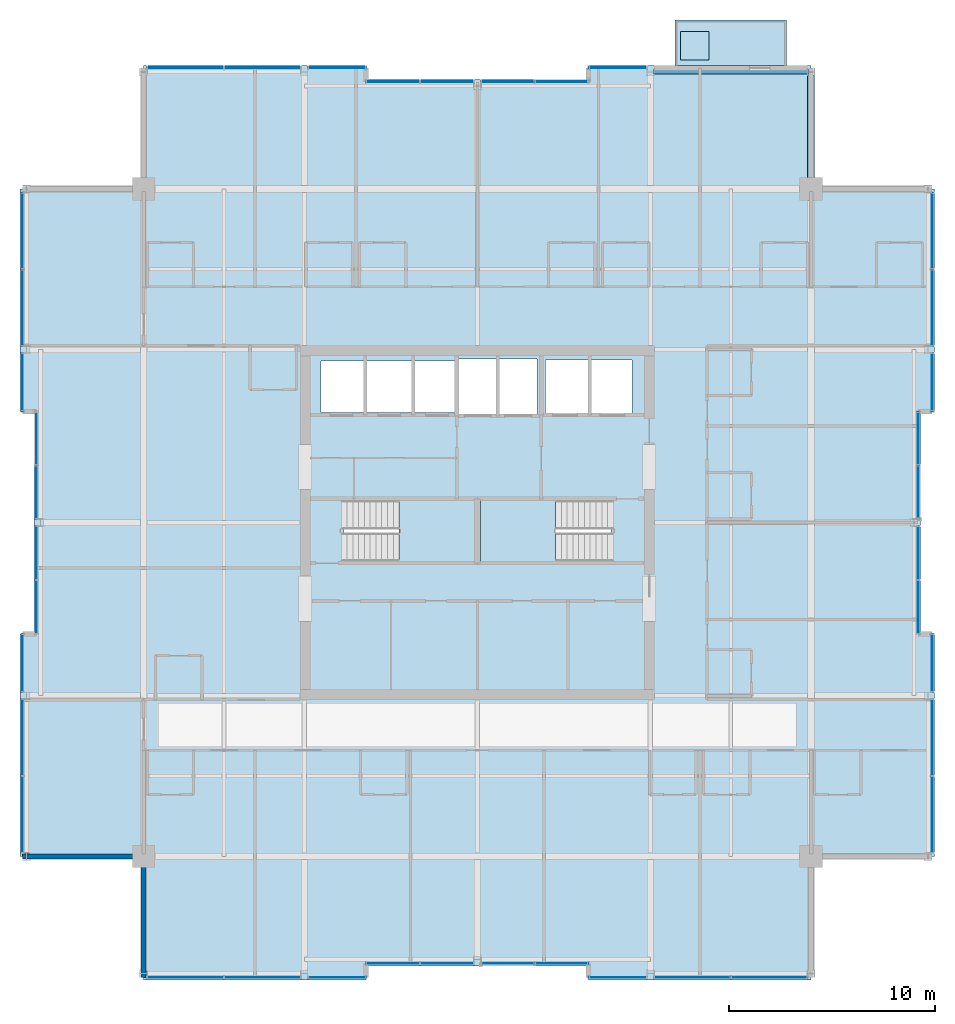
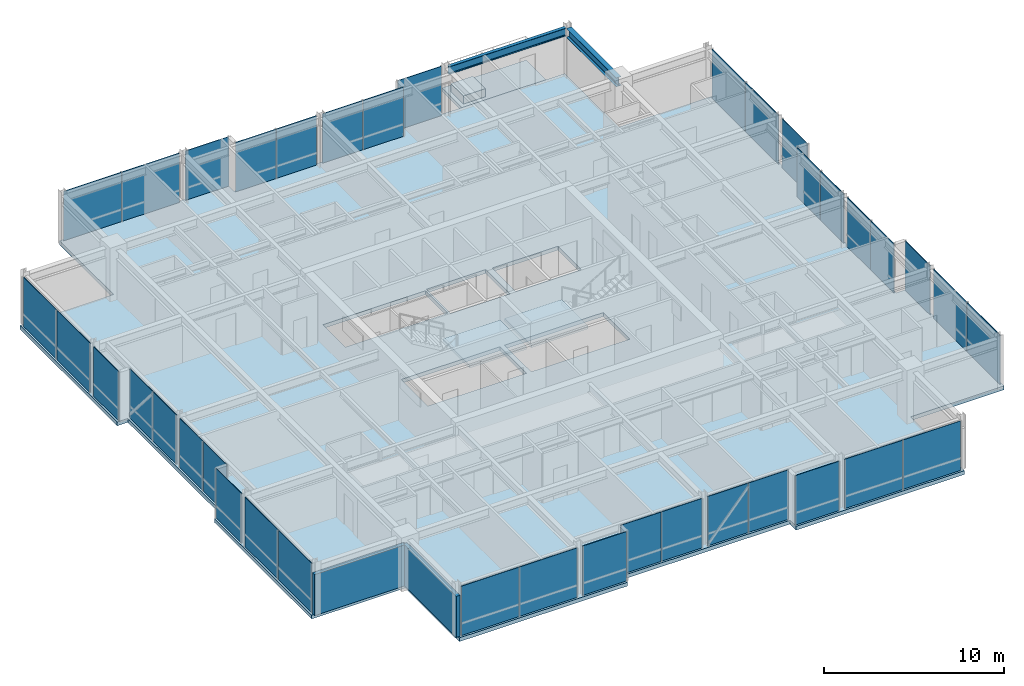
# One storey, part 27 of 34: 38 plates, 5 slabs, 2 beams, 2 walls, 25 elements without a shape of their own.
"""IFC4 building model written with IfcOpenShell, lengths in metres."""

from ifc_helpers import new_model, si_unit, direction, frame, frame_2d, origin, origin_2d, place, context, subcontext, project, spatial, polyline, rectangle, i_section, outline, extrude, material, layer, layer_set, material_profile, profile_set, type_object, element, aggregate, save


model = new_model("IFC4")

# Units and contexts
model_context = context("Model", 3, precision=1e-05, world=origin(), true_north=direction((0.0, 1.0)))
body_context = subcontext(model_context, "Body", "Model", "MODEL_VIEW")
ifc_project = project(units=[si_unit("LENGTHUNIT", "METRE"), si_unit("AREAUNIT", "SQUARE_METRE"), si_unit("VOLUMEUNIT", "CUBIC_METRE"), si_unit("PLANEANGLEUNIT", "RADIAN"), si_unit("MASSUNIT", "GRAM", prefix="KILO")], contexts=[model_context])

# Site, building, storey
site_placement = place(None, origin())
site = spatial("IfcSite", under=ifc_project, at=site_placement, CompositionType="ELEMENT")
building_placement = place(site_placement, origin())
building = spatial("IfcBuilding", under=site, at=building_placement, Name="Drelvath Grand Hotel", CompositionType="ELEMENT")
storey_placement = place(building_placement, frame((0.0, 0.0, 272.300048828125)))
storey = spatial("IfcBuildingStorey", under=building, at=storey_placement, Name="L71", CompositionType="ELEMENT", Elevation=272.300048828125)

# Beams
ifc_material_1 = material(Name="Steel ASTM A992 Gr 50", Category="steel")
ifc_material_profile_1 = material_profile(ifc_material_1, i_section(OverallWidth=0.210205078125, OverallDepth=0.53662109375, WebThickness=0.010986328125, FlangeThickness=0.017333984375, FilletRadius=0.01806640625, at=origin_2d()), Name="W21X68")
ifc_profile_set_1 = profile_set([ifc_material_profile_1], Name="Steel ASTM A992 Gr 50")
beam_type_1 = type_object("IfcBeamType", Name="Perimeter Spandrel Beam W21X68", PredefinedType="SPANDREL", material=ifc_profile_set_1)
beam_1_placement = place(storey_placement, frame((8.5400390625, 48.8798828125, 3.12158203125), z_axis=(1.0, 0.0, 0.0), x_axis=(0.0, 1.0, 0.0)))
element("IfcBeam", 1, at=beam_1_placement, inside=storey, type_object=beam_type_1, Name="L71 Spandrel North E", PredefinedType="SPANDREL", context=body_context, shape_type="SweptSolid", body=[
    extrude(i_section(OverallWidth=0.210205078125, OverallDepth=0.53662109375, WebThickness=0.010986328125, FlangeThickness=0.017333984375, FilletRadius=0.01806640625, at=origin_2d()), origin(), (0.0, 0.0, 1.0), 7.52001953125),
])
ifc_material_profile_2 = material_profile(ifc_material_1, i_section(OverallWidth=0.323974609375, OverallDepth=0.611083984375, WebThickness=0.0126953125, FlangeThickness=0.01904296875, FilletRadius=0.02197265625, at=origin_2d()), Name="W24X104")
ifc_profile_set_2 = profile_set([ifc_material_profile_2], Name="Steel ASTM A992 Gr 50")
beam_type_2 = type_object("IfcBeamType", Name="Primary Floor Girder W24X104", PredefinedType="BEAM", material=ifc_profile_set_2)
beam_2_placement = place(storey_placement, frame((16.199951171875, 43.199951171875, 3.08447265625), z_axis=(0.0, 1.0, 0.0), x_axis=(-1.0, 0.0, 0.0)))
element("IfcBeam", 2, at=beam_2_placement, inside=storey, type_object=beam_type_2, Name="L71 North Grid Girder 7", PredefinedType="BEAM", context=body_context, shape_type="SweptSolid", body=[
    extrude(i_section(OverallWidth=0.323974609375, OverallDepth=0.611083984375, WebThickness=0.0126953125, FlangeThickness=0.01904296875, FilletRadius=0.02197265625, at=origin_2d()), origin(), (0.0, 0.0, 1.0), 5.5400390625),
])

# Slabs
ifc_material_2 = material(Name="Concrete f'c 40 MPa", Category="concrete")
ifc_layer_1 = layer(ifc_material_2, 0.239990234375)
ifc_layer_set_1 = layer_set([ifc_layer_1], Name="Concrete f'c 40 MPa")
slab_type_1 = type_object("IfcSlabType", Name="Cantilevered Tree Balcony Slab 240", PredefinedType="FLOOR", material=ifc_layer_set_1)
slab_1_placement = place(storey_placement, frame((0.0, 0.0, -0.239990234375)))
element("IfcSlab", 3, at=slab_1_placement, inside=storey, type_object=slab_type_1, Name="L71 Cantilevered Tree Balcony Slab 1", PredefinedType="FLOOR", context=body_context, shape_type="SweptSolid", body=[
    extrude(outline(polyline([(9.60009765625, 49.199951171875), (15.0, 49.199951171875), (15.0, 51.39990234375), (9.60009765625, 51.39990234375), (9.60009765625, 49.199951171875)])), origin(), (0.0, 0.0, 1.0), 0.239990234375),
])
ifc_layer_2 = layer(ifc_material_2, 0.260009765625)
ifc_layer_set_2 = layer_set([ifc_layer_2], Name="Concrete f'c 40 MPa")
slab_type_2 = type_object("IfcSlabType", Name="Composite RC Floor Slab 260", PredefinedType="FLOOR", material=ifc_layer_set_2)
slab_2_placement = place(storey_placement, frame((0.0, 0.0, -0.260009765625)))
element("IfcSlab", 4, at=slab_2_placement, inside=storey, type_object=slab_type_2, Name="L71 Structural Floor Slab", PredefinedType="FLOOR", context=body_context, shape_type="SweptSolid", body=[
    extrude(outline(polyline([(-16.199951171875, 4.800048828125), (-5.39990234375, 4.800048828125), (-5.39990234375, 5.47998046875), (5.39990234375, 5.47998046875), (5.39990234375, 4.800048828125), (16.199951171875, 4.800048828125), (16.199951171875, 10.800048828125), (22.199951171875, 10.800048828125), (22.199951171875, 21.60009765625), (21.52001953125, 21.60009765625), (21.52001953125, 32.39990234375), (22.199951171875, 32.39990234375), (22.199951171875, 43.199951171875), (16.199951171875, 43.199951171875), (16.199951171875, 49.199951171875), (5.39990234375, 49.199951171875), (5.39990234375, 48.52001953125), (-5.39990234375, 48.52001953125), (-5.39990234375, 49.199951171875), (-16.199951171875, 49.199951171875), (-16.199951171875, 43.199951171875), (-22.199951171875, 43.199951171875), (-22.199951171875, 32.39990234375), (-21.52001953125, 32.39990234375), (-21.52001953125, 21.60009765625), (-22.199951171875, 21.60009765625), (-22.199951171875, 10.800048828125), (-16.199951171875, 10.800048828125), (-16.199951171875, 4.800048828125)]), holes=[polyline([(-6.47998046875, 25.1201171875), (-6.47998046875, 28.080078125), (-0.14990234375, 28.080078125), (-0.14990234375, 25.1201171875), (-6.47998046875, 25.1201171875)]), polyline([(0.14990234375, 25.1201171875), (0.14990234375, 28.080078125), (6.47998046875, 28.080078125), (6.47998046875, 25.1201171875), (0.14990234375, 25.1201171875)]), polyline([(-7.60009765625, 32.35009765625), (-7.60009765625, 34.85009765625), (-1.02001953125, 34.85009765625), (-1.02001953125, 32.35009765625), (-7.60009765625, 32.35009765625)]), polyline([(-0.89990234375, 32.25), (-0.89990234375, 34.949951171875), (2.89990234375, 34.949951171875), (2.89990234375, 32.25), (-0.89990234375, 32.25)]), polyline([(3.300048828125, 32.300048828125), (3.300048828125, 34.89990234375), (7.5, 34.89990234375), (7.5, 32.300048828125), (3.300048828125, 32.300048828125)])]), origin(), (0.0, 0.0, 1.0), 0.260009765625),
])

# Stair, slab
ifc_material_3 = material(Name="Concrete C40/50", Category="concrete")
stair_type = type_object("IfcStairType", Name="Dogleg Exit Stair W1400-R165.9", PredefinedType="HALF_TURN_STAIR", material=ifc_material_3)
stair_1_placement = place(storey_placement, origin())
stair_1 = element("IfcStair", 5, at=stair_1_placement, inside=storey, type_object=stair_type, Name="L71 Core Exit Stair ST-1", PredefinedType="HALF_TURN_STAIR")
ifc_layer_3 = layer(ifc_material_3, 0.199951171875)
ifc_layer_set_3 = layer_set([ifc_layer_3], Name="Concrete C40/50")
slab_type_3 = type_object("IfcSlabType", Name="Concrete Stair Landing Slab 200", PredefinedType="LANDING", material=ifc_layer_set_3)
slab_3_placement = place(storey_placement, frame((0.0, 0.0, 1.625)))
slab_3 = element("IfcSlab", 6, at=slab_3_placement, type_object=slab_type_3, Name="ST-1 landing 1", PredefinedType="LANDING", context=body_context, shape_type="SweptSolid", body=[
    extrude(outline(polyline([(-3.800048828125, 25.1201171875), (-0.14990234375, 25.1201171875), (-0.14990234375, 28.080078125), (-3.800048828125, 28.080078125), (-3.800048828125, 25.1201171875)])), origin(), (0.0, 0.0, 1.0), 0.199951171875),
])
aggregate(stair_1, [slab_3])

stair_2_placement = place(storey_placement, origin())
stair_2 = element("IfcStair", 7, at=stair_2_placement, inside=storey, type_object=stair_type, Name="L71 Core Exit Stair ST-2", PredefinedType="HALF_TURN_STAIR")
slab_4_placement = place(storey_placement, frame((0.0, 0.0, 1.625)))
slab_4 = element("IfcSlab", 8, at=slab_4_placement, type_object=slab_type_3, Name="ST-2 landing 1", PredefinedType="LANDING", context=body_context, shape_type="SweptSolid", body=[
    extrude(outline(polyline([(3.800048828125, 28.080078125), (0.14990234375, 28.080078125), (0.14990234375, 25.1201171875), (3.800048828125, 25.1201171875), (3.800048828125, 28.080078125)])), origin(), (0.0, 0.0, 1.0), 0.199951171875),
])
aggregate(stair_2, [slab_4])

# Curtain wall, plates
ifc_material_4 = material(Name="Platinum-Mist Anodised Aluminium Frame", Category="aluminium")
ifc_layer_4 = layer(ifc_material_4, 0.199951171875)
ifc_layer_set_4 = layer_set([ifc_layer_4], Name="Platinum-Mist Anodised Aluminium Frame")
curtain_wall_type = type_object("IfcCurtainWallType", Name="Stick Curtain Wall CW-05 Platinum Mist High-Rise", PredefinedType="NOTDEFINED", material=ifc_layer_set_4)
curtain_wall_1_placement = place(storey_placement, origin())
curtain_wall_1 = element("IfcCurtainWall", 9, at=curtain_wall_1_placement, inside=storey, type_object=curtain_wall_type, Name="L71 CW-05 Curtain Wall CW05-L71-WS1", PredefinedType="NOTDEFINED")
ifc_material_5 = material(Name="Low-E Triple Silver High-Altitude Glass", Category="glass")
ifc_layer_5 = layer(ifc_material_5, 0.035888671875)
ifc_layer_set_5 = layer_set([ifc_layer_5], Name="Low-E Triple Silver High-Altitude Glass")
plate_type = type_object("IfcPlateType", Name="Curtain Wall Vision Panel CW-05 36mm", PredefinedType="CURTAIN_PANEL", material=ifc_layer_set_5)
plate_1_placement = place(storey_placement, frame((-22.080078125, 12.835205078125, 0.02001953125), z_axis=(0.0, 0.0, 1.0), x_axis=(0.0, 1.0, 0.0)))
plate_1 = element("IfcPlate", 10, at=plate_1_placement, type_object=plate_type, Name="CW05-L71-WS1 Glazed Panel 1", PredefinedType="CURTAIN_PANEL", context=body_context, shape_type="SweptSolid", body=[
    extrude(rectangle(XDim=3.68994140625, YDim=0.035888671875, at=origin_2d()), origin(), (0.0, 0.0, 1.0), 3.35009765625),
])
plate_2_placement = place(storey_placement, frame((-22.080078125, 16.56494140625, 0.02001953125), z_axis=(0.0, 0.0, 1.0), x_axis=(0.0, 1.0, 0.0)))
plate_2 = element("IfcPlate", 11, at=plate_2_placement, type_object=plate_type, Name="CW05-L71-WS1 Glazed Panel 2", PredefinedType="CURTAIN_PANEL", context=body_context, shape_type="SweptSolid", body=[
    extrude(rectangle(XDim=3.68994140625, YDim=0.035888671875, at=origin_2d()), origin(), (0.0, 0.0, 1.0), 3.35009765625),
])
aggregate(curtain_wall_1, [plate_1, plate_2])

# Curtain wall, plate
curtain_wall_2_placement = place(storey_placement, origin())
curtain_wall_2 = element("IfcCurtainWall", 12, at=curtain_wall_2_placement, inside=storey, type_object=curtain_wall_type, Name="L71 CW-05 Curtain Wall CW05-L71-WS2", PredefinedType="NOTDEFINED")
plate_3_placement = place(storey_placement, frame((-22.080078125, 20.18505859375, 0.02001953125), z_axis=(0.0, 0.0, 1.0), x_axis=(0.0, 1.0, 0.0)))
plate_3 = element("IfcPlate", 13, at=plate_3_placement, type_object=plate_type, Name="CW05-L71-WS2 Glazed Panel 1", PredefinedType="CURTAIN_PANEL", context=body_context, shape_type="SweptSolid", body=[
    extrude(rectangle(XDim=2.789794921875, YDim=0.035888671875, at=origin_2d()), origin(), (0.0, 0.0, 1.0), 3.35009765625),
])
aggregate(curtain_wall_2, [plate_3])

# Curtain wall, plates
curtain_wall_3_placement = place(storey_placement, origin())
curtain_wall_3 = element("IfcCurtainWall", 14, at=curtain_wall_3_placement, inside=storey, type_object=curtain_wall_type, Name="L71 CW-05 Curtain Wall CW05-L71-WM1", PredefinedType="NOTDEFINED")
plate_4_placement = place(storey_placement, frame((-21.39990234375, 22.907470703125, 0.02001953125), z_axis=(0.0, 0.0, 1.0), x_axis=(0.0, 1.0, 0.0)))
plate_4 = element("IfcPlate", 15, at=plate_4_placement, type_object=plate_type, Name="CW05-L71-WM1 Glazed Panel 1", PredefinedType="CURTAIN_PANEL", context=body_context, shape_type="SweptSolid", body=[
    extrude(rectangle(XDim=2.574951171875, YDim=0.035888671875, at=origin_2d()), origin(), (0.0, 0.0, 1.0), 3.35009765625),
])
plate_5_placement = place(storey_placement, frame((-21.39990234375, 25.5224609375, 0.02001953125), z_axis=(0.0, 0.0, 1.0), x_axis=(0.0, 1.0, 0.0)))
plate_5 = element("IfcPlate", 16, at=plate_5_placement, type_object=plate_type, Name="CW05-L71-WM1 Glazed Panel 2", PredefinedType="CURTAIN_PANEL", context=body_context, shape_type="SweptSolid", body=[
    extrude(rectangle(XDim=2.574951171875, YDim=0.035888671875, at=origin_2d()), origin(), (0.0, 0.0, 1.0), 3.35009765625),
])
aggregate(curtain_wall_3, [plate_4, plate_5])

curtain_wall_4_placement = place(storey_placement, origin())
curtain_wall_4 = element("IfcCurtainWall", 17, at=curtain_wall_4_placement, inside=storey, type_object=curtain_wall_type, Name="L71 CW-05 Curtain Wall CW05-L71-WM2", PredefinedType="NOTDEFINED")
plate_6_placement = place(storey_placement, frame((-21.39990234375, 28.4775390625, 0.02001953125), z_axis=(0.0, 0.0, 1.0), x_axis=(0.0, 1.0, 0.0)))
plate_6 = element("IfcPlate", 18, at=plate_6_placement, type_object=plate_type, Name="CW05-L71-WM2 Glazed Panel 1", PredefinedType="CURTAIN_PANEL", context=body_context, shape_type="SweptSolid", body=[
    extrude(rectangle(XDim=2.574951171875, YDim=0.035888671875, at=origin_2d()), origin(), (0.0, 0.0, 1.0), 3.35009765625),
])
plate_7_placement = place(storey_placement, frame((-21.39990234375, 31.092529296875, 0.02001953125), z_axis=(0.0, 0.0, 1.0), x_axis=(0.0, 1.0, 0.0)))
plate_7 = element("IfcPlate", 19, at=plate_7_placement, type_object=plate_type, Name="CW05-L71-WM2 Glazed Panel 2", PredefinedType="CURTAIN_PANEL", context=body_context, shape_type="SweptSolid", body=[
    extrude(rectangle(XDim=2.574951171875, YDim=0.035888671875, at=origin_2d()), origin(), (0.0, 0.0, 1.0), 3.35009765625),
])
aggregate(curtain_wall_4, [plate_6, plate_7])

# Curtain wall, plate
curtain_wall_5_placement = place(storey_placement, origin())
curtain_wall_5 = element("IfcCurtainWall", 20, at=curtain_wall_5_placement, inside=storey, type_object=curtain_wall_type, Name="L71 CW-05 Curtain Wall CW05-L71-WN1", PredefinedType="NOTDEFINED")
plate_8_placement = place(storey_placement, frame((-22.080078125, 33.81494140625, 0.02001953125), z_axis=(0.0, 0.0, 1.0), x_axis=(0.0, 1.0, 0.0)))
plate_8 = element("IfcPlate", 21, at=plate_8_placement, type_object=plate_type, Name="CW05-L71-WN1 Glazed Panel 1", PredefinedType="CURTAIN_PANEL", context=body_context, shape_type="SweptSolid", body=[
    extrude(rectangle(XDim=2.7900390625, YDim=0.035888671875, at=origin_2d()), origin(), (0.0, 0.0, 1.0), 3.35009765625),
])
aggregate(curtain_wall_5, [plate_8])

# Curtain wall, plates
curtain_wall_6_placement = place(storey_placement, origin())
curtain_wall_6 = element("IfcCurtainWall", 22, at=curtain_wall_6_placement, inside=storey, type_object=curtain_wall_type, Name="L71 CW-05 Curtain Wall CW05-L71-WN2", PredefinedType="NOTDEFINED")
plate_9_placement = place(storey_placement, frame((-22.080078125, 37.43505859375, 0.02001953125), z_axis=(0.0, 0.0, 1.0), x_axis=(0.0, 1.0, 0.0)))
plate_9 = element("IfcPlate", 23, at=plate_9_placement, type_object=plate_type, Name="CW05-L71-WN2 Glazed Panel 1", PredefinedType="CURTAIN_PANEL", context=body_context, shape_type="SweptSolid", body=[
    extrude(rectangle(XDim=3.68994140625, YDim=0.035888671875, at=origin_2d()), origin(), (0.0, 0.0, 1.0), 3.35009765625),
])
plate_10_placement = place(storey_placement, frame((-22.080078125, 41.1650390625, 0.02001953125), z_axis=(0.0, 0.0, 1.0), x_axis=(0.0, 1.0, 0.0)))
plate_10 = element("IfcPlate", 24, at=plate_10_placement, type_object=plate_type, Name="CW05-L71-WN2 Glazed Panel 2", PredefinedType="CURTAIN_PANEL", context=body_context, shape_type="SweptSolid", body=[
    extrude(rectangle(XDim=3.68994140625, YDim=0.035888671875, at=origin_2d()), origin(), (0.0, 0.0, 1.0), 3.35009765625),
])
aggregate(curtain_wall_6, [plate_9, plate_10])

# Curtain wall, plate
curtain_wall_7_placement = place(storey_placement, origin())
curtain_wall_7 = element("IfcCurtainWall", 25, at=curtain_wall_7_placement, inside=storey, type_object=curtain_wall_type, Name="L71 CW-05 Curtain Wall CW05-L71-EN1", PredefinedType="NOTDEFINED")
plate_11_placement = place(storey_placement, frame((22.080078125, 33.81494140625, 0.02001953125), z_axis=(0.0, 0.0, 1.0), x_axis=(0.0, -1.0, 0.0)))
plate_11 = element("IfcPlate", 26, at=plate_11_placement, type_object=plate_type, Name="CW05-L71-EN1 Glazed Panel 1", PredefinedType="CURTAIN_PANEL", context=body_context, shape_type="SweptSolid", body=[
    extrude(rectangle(XDim=2.7900390625, YDim=0.035888671875, at=origin_2d()), origin(), (0.0, 0.0, 1.0), 3.35009765625),
])
aggregate(curtain_wall_7, [plate_11])

# Curtain wall, plates
curtain_wall_8_placement = place(storey_placement, origin())
curtain_wall_8 = element("IfcCurtainWall", 27, at=curtain_wall_8_placement, inside=storey, type_object=curtain_wall_type, Name="L71 CW-05 Curtain Wall CW05-L71-EN2", PredefinedType="NOTDEFINED")
plate_12_placement = place(storey_placement, frame((22.080078125, 41.1650390625, 0.02001953125), z_axis=(0.0, 0.0, 1.0), x_axis=(0.0, -1.0, 0.0)))
plate_12 = element("IfcPlate", 28, at=plate_12_placement, type_object=plate_type, Name="CW05-L71-EN2 Glazed Panel 1", PredefinedType="CURTAIN_PANEL", context=body_context, shape_type="SweptSolid", body=[
    extrude(rectangle(XDim=3.68994140625, YDim=0.035888671875, at=origin_2d()), origin(), (0.0, 0.0, 1.0), 3.35009765625),
])
plate_13_placement = place(storey_placement, frame((22.080078125, 37.43505859375, 0.02001953125), z_axis=(0.0, 0.0, 1.0), x_axis=(0.0, -1.0, 0.0)))
plate_13 = element("IfcPlate", 29, at=plate_13_placement, type_object=plate_type, Name="CW05-L71-EN2 Glazed Panel 2", PredefinedType="CURTAIN_PANEL", context=body_context, shape_type="SweptSolid", body=[
    extrude(rectangle(XDim=3.68994140625, YDim=0.035888671875, at=origin_2d()), origin(), (0.0, 0.0, 1.0), 3.35009765625),
])
aggregate(curtain_wall_8, [plate_12, plate_13])

curtain_wall_9_placement = place(storey_placement, origin())
curtain_wall_9 = element("IfcCurtainWall", 30, at=curtain_wall_9_placement, inside=storey, type_object=curtain_wall_type, Name="L71 CW-05 Curtain Wall CW05-L71-EM1", PredefinedType="NOTDEFINED")
plate_14_placement = place(storey_placement, frame((21.39990234375, 25.5224609375, 0.02001953125), z_axis=(0.0, 0.0, 1.0), x_axis=(0.0, -1.0, 0.0)))
plate_14 = element("IfcPlate", 31, at=plate_14_placement, type_object=plate_type, Name="CW05-L71-EM1 Glazed Panel 1", PredefinedType="CURTAIN_PANEL", context=body_context, shape_type="SweptSolid", body=[
    extrude(rectangle(XDim=2.574951171875, YDim=0.035888671875, at=origin_2d()), origin(), (0.0, 0.0, 1.0), 3.35009765625),
])
plate_15_placement = place(storey_placement, frame((21.39990234375, 22.907470703125, 0.02001953125), z_axis=(0.0, 0.0, 1.0), x_axis=(0.0, -1.0, 0.0)))
plate_15 = element("IfcPlate", 32, at=plate_15_placement, type_object=plate_type, Name="CW05-L71-EM1 Glazed Panel 2", PredefinedType="CURTAIN_PANEL", context=body_context, shape_type="SweptSolid", body=[
    extrude(rectangle(XDim=2.574951171875, YDim=0.035888671875, at=origin_2d()), origin(), (0.0, 0.0, 1.0), 3.35009765625),
])
aggregate(curtain_wall_9, [plate_14, plate_15])

curtain_wall_10_placement = place(storey_placement, origin())
curtain_wall_10 = element("IfcCurtainWall", 33, at=curtain_wall_10_placement, inside=storey, type_object=curtain_wall_type, Name="L71 CW-05 Curtain Wall CW05-L71-EM2", PredefinedType="NOTDEFINED")
plate_16_placement = place(storey_placement, frame((21.39990234375, 31.092529296875, 0.02001953125), z_axis=(0.0, 0.0, 1.0), x_axis=(0.0, -1.0, 0.0)))
plate_16 = element("IfcPlate", 34, at=plate_16_placement, type_object=plate_type, Name="CW05-L71-EM2 Glazed Panel 1", PredefinedType="CURTAIN_PANEL", context=body_context, shape_type="SweptSolid", body=[
    extrude(rectangle(XDim=2.574951171875, YDim=0.035888671875, at=origin_2d()), origin(), (0.0, 0.0, 1.0), 3.35009765625),
])
plate_17_placement = place(storey_placement, frame((21.39990234375, 28.4775390625, 0.02001953125), z_axis=(0.0, 0.0, 1.0), x_axis=(0.0, -1.0, 0.0)))
plate_17 = element("IfcPlate", 35, at=plate_17_placement, type_object=plate_type, Name="CW05-L71-EM2 Glazed Panel 2", PredefinedType="CURTAIN_PANEL", context=body_context, shape_type="SweptSolid", body=[
    extrude(rectangle(XDim=2.574951171875, YDim=0.035888671875, at=origin_2d()), origin(), (0.0, 0.0, 1.0), 3.35009765625),
])
aggregate(curtain_wall_10, [plate_16, plate_17])

curtain_wall_11_placement = place(storey_placement, origin())
curtain_wall_11 = element("IfcCurtainWall", 36, at=curtain_wall_11_placement, inside=storey, type_object=curtain_wall_type, Name="L71 CW-05 Curtain Wall CW05-L71-ES1", PredefinedType="NOTDEFINED")
plate_18_placement = place(storey_placement, frame((22.080078125, 16.56494140625, 0.02001953125), z_axis=(0.0, 0.0, 1.0), x_axis=(0.0, -1.0, 0.0)))
plate_18 = element("IfcPlate", 37, at=plate_18_placement, type_object=plate_type, Name="CW05-L71-ES1 Glazed Panel 1", PredefinedType="CURTAIN_PANEL", context=body_context, shape_type="SweptSolid", body=[
    extrude(rectangle(XDim=3.68994140625, YDim=0.035888671875, at=origin_2d()), origin(), (0.0, 0.0, 1.0), 3.35009765625),
])
plate_19_placement = place(storey_placement, frame((22.080078125, 12.835205078125, 0.02001953125), z_axis=(0.0, 0.0, 1.0), x_axis=(0.0, -1.0, 0.0)))
plate_19 = element("IfcPlate", 38, at=plate_19_placement, type_object=plate_type, Name="CW05-L71-ES1 Glazed Panel 2", PredefinedType="CURTAIN_PANEL", context=body_context, shape_type="SweptSolid", body=[
    extrude(rectangle(XDim=3.68994140625, YDim=0.035888671875, at=origin_2d()), origin(), (0.0, 0.0, 1.0), 3.35009765625),
])
aggregate(curtain_wall_11, [plate_18, plate_19])

# Curtain wall, plate
curtain_wall_12_placement = place(storey_placement, origin())
curtain_wall_12 = element("IfcCurtainWall", 39, at=curtain_wall_12_placement, inside=storey, type_object=curtain_wall_type, Name="L71 CW-05 Curtain Wall CW05-L71-ES2", PredefinedType="NOTDEFINED")
plate_20_placement = place(storey_placement, frame((22.080078125, 20.18505859375, 0.02001953125), z_axis=(0.0, 0.0, 1.0), x_axis=(0.0, -1.0, 0.0)))
plate_20 = element("IfcPlate", 40, at=plate_20_placement, type_object=plate_type, Name="CW05-L71-ES2 Glazed Panel 1", PredefinedType="CURTAIN_PANEL", context=body_context, shape_type="SweptSolid", body=[
    extrude(rectangle(XDim=2.789794921875, YDim=0.035888671875, at=origin_2d()), origin(), (0.0, 0.0, 1.0), 3.35009765625),
])
aggregate(curtain_wall_12, [plate_20])

# Curtain wall, plates
curtain_wall_13_placement = place(storey_placement, origin())
curtain_wall_13 = element("IfcCurtainWall", 41, at=curtain_wall_13_placement, inside=storey, type_object=curtain_wall_type, Name="L71 CW-05 Curtain Wall CW05-L71-NW1", PredefinedType="NOTDEFINED")
plate_21_placement = place(storey_placement, frame((-14.1650390625, 49.080078125, 0.02001953125), z_axis=(0.0, 0.0, 1.0), x_axis=(1.0, 0.0, 0.0)))
plate_21 = element("IfcPlate", 42, at=plate_21_placement, type_object=plate_type, Name="CW05-L71-NW1 Glazed Panel 1", PredefinedType="CURTAIN_PANEL", context=body_context, shape_type="SweptSolid", body=[
    extrude(rectangle(XDim=3.68994140625, YDim=0.035888671875, at=origin_2d()), origin(), (0.0, 0.0, 1.0), 3.35009765625),
])
plate_22_placement = place(storey_placement, frame((-10.43505859375, 49.080078125, 0.02001953125), z_axis=(0.0, 0.0, 1.0), x_axis=(1.0, 0.0, 0.0)))
plate_22 = element("IfcPlate", 43, at=plate_22_placement, type_object=plate_type, Name="CW05-L71-NW1 Glazed Panel 2", PredefinedType="CURTAIN_PANEL", context=body_context, shape_type="SweptSolid", body=[
    extrude(rectangle(XDim=3.68994140625, YDim=0.035888671875, at=origin_2d()), origin(), (0.0, 0.0, 1.0), 3.35009765625),
])
aggregate(curtain_wall_13, [plate_21, plate_22])

# Curtain wall, plate
curtain_wall_14_placement = place(storey_placement, origin())
curtain_wall_14 = element("IfcCurtainWall", 44, at=curtain_wall_14_placement, inside=storey, type_object=curtain_wall_type, Name="L71 CW-05 Curtain Wall CW05-L71-NW2", PredefinedType="NOTDEFINED")
plate_23_placement = place(storey_placement, frame((-6.81494140625, 49.080078125, 0.02001953125), z_axis=(0.0, 0.0, 1.0), x_axis=(1.0, 0.0, 0.0)))
plate_23 = element("IfcPlate", 45, at=plate_23_placement, type_object=plate_type, Name="CW05-L71-NW2 Glazed Panel 1", PredefinedType="CURTAIN_PANEL", context=body_context, shape_type="SweptSolid", body=[
    extrude(rectangle(XDim=2.789794921875, YDim=0.035888671875, at=origin_2d()), origin(), (0.0, 0.0, 1.0), 3.35009765625),
])
aggregate(curtain_wall_14, [plate_23])

# Curtain wall, plates
curtain_wall_15_placement = place(storey_placement, origin())
curtain_wall_15 = element("IfcCurtainWall", 46, at=curtain_wall_15_placement, inside=storey, type_object=curtain_wall_type, Name="L71 CW-05 Curtain Wall CW05-L71-NM1", PredefinedType="NOTDEFINED")
plate_24_placement = place(storey_placement, frame((-4.092529296875, 48.39990234375, 0.02001953125), z_axis=(0.0, 0.0, 1.0), x_axis=(1.0, 0.0, 0.0)))
plate_24 = element("IfcPlate", 47, at=plate_24_placement, type_object=plate_type, Name="CW05-L71-NM1 Glazed Panel 1", PredefinedType="CURTAIN_PANEL", context=body_context, shape_type="SweptSolid", body=[
    extrude(rectangle(XDim=2.574951171875, YDim=0.035888671875, at=origin_2d()), origin(), (0.0, 0.0, 1.0), 3.35009765625),
])
plate_25_placement = place(storey_placement, frame((-1.4775390625, 48.39990234375, 0.02001953125), z_axis=(0.0, 0.0, 1.0), x_axis=(1.0, 0.0, 0.0)))
plate_25 = element("IfcPlate", 48, at=plate_25_placement, type_object=plate_type, Name="CW05-L71-NM1 Glazed Panel 2", PredefinedType="CURTAIN_PANEL", context=body_context, shape_type="SweptSolid", body=[
    extrude(rectangle(XDim=2.574951171875, YDim=0.035888671875, at=origin_2d()), origin(), (0.0, 0.0, 1.0), 3.35009765625),
])
aggregate(curtain_wall_15, [plate_24, plate_25])

curtain_wall_16_placement = place(storey_placement, origin())
curtain_wall_16 = element("IfcCurtainWall", 49, at=curtain_wall_16_placement, inside=storey, type_object=curtain_wall_type, Name="L71 CW-05 Curtain Wall CW05-L71-NM2", PredefinedType="NOTDEFINED")
plate_26_placement = place(storey_placement, frame((1.4775390625, 48.39990234375, 0.02001953125), z_axis=(0.0, 0.0, 1.0), x_axis=(1.0, 0.0, 0.0)))
plate_26 = element("IfcPlate", 50, at=plate_26_placement, type_object=plate_type, Name="CW05-L71-NM2 Glazed Panel 1", PredefinedType="CURTAIN_PANEL", context=body_context, shape_type="SweptSolid", body=[
    extrude(rectangle(XDim=2.574951171875, YDim=0.035888671875, at=origin_2d()), origin(), (0.0, 0.0, 1.0), 3.35009765625),
])
plate_27_placement = place(storey_placement, frame((4.092529296875, 48.39990234375, 0.02001953125), z_axis=(0.0, 0.0, 1.0), x_axis=(1.0, 0.0, 0.0)))
plate_27 = element("IfcPlate", 51, at=plate_27_placement, type_object=plate_type, Name="CW05-L71-NM2 Glazed Panel 2", PredefinedType="CURTAIN_PANEL", context=body_context, shape_type="SweptSolid", body=[
    extrude(rectangle(XDim=2.574951171875, YDim=0.035888671875, at=origin_2d()), origin(), (0.0, 0.0, 1.0), 3.35009765625),
])
aggregate(curtain_wall_16, [plate_26, plate_27])

# Curtain wall, plate
curtain_wall_17_placement = place(storey_placement, origin())
curtain_wall_17 = element("IfcCurtainWall", 52, at=curtain_wall_17_placement, inside=storey, type_object=curtain_wall_type, Name="L71 CW-05 Curtain Wall CW05-L71-NE1", PredefinedType="NOTDEFINED")
plate_28_placement = place(storey_placement, frame((6.81494140625, 49.080078125, 0.02001953125), z_axis=(0.0, 0.0, 1.0), x_axis=(1.0, 0.0, 0.0)))
plate_28 = element("IfcPlate", 53, at=plate_28_placement, type_object=plate_type, Name="CW05-L71-NE1 Glazed Panel 1", PredefinedType="CURTAIN_PANEL", context=body_context, shape_type="SweptSolid", body=[
    extrude(rectangle(XDim=2.789794921875, YDim=0.035888671875, at=origin_2d()), origin(), (0.0, 0.0, 1.0), 3.35009765625),
])
aggregate(curtain_wall_17, [plate_28])

curtain_wall_18_placement = place(storey_placement, origin())
curtain_wall_18 = element("IfcCurtainWall", 54, at=curtain_wall_18_placement, inside=storey, type_object=curtain_wall_type, Name="L71 CW-05 Curtain Wall CW05-L71-SE1", PredefinedType="NOTDEFINED")
plate_29_placement = place(storey_placement, frame((6.81494140625, 4.919921875, 0.02001953125), z_axis=(0.0, 0.0, 1.0), x_axis=(-1.0, 0.0, 0.0)))
plate_29 = element("IfcPlate", 55, at=plate_29_placement, type_object=plate_type, Name="CW05-L71-SE1 Glazed Panel 1", PredefinedType="CURTAIN_PANEL", context=body_context, shape_type="SweptSolid", body=[
    extrude(rectangle(XDim=2.789794921875, YDim=0.035888671875, at=origin_2d()), origin(), (0.0, 0.0, 1.0), 3.35009765625),
])
aggregate(curtain_wall_18, [plate_29])

# Curtain wall, plates
curtain_wall_19_placement = place(storey_placement, origin())
curtain_wall_19 = element("IfcCurtainWall", 56, at=curtain_wall_19_placement, inside=storey, type_object=curtain_wall_type, Name="L71 CW-05 Curtain Wall CW05-L71-SE2", PredefinedType="NOTDEFINED")
plate_30_placement = place(storey_placement, frame((14.1650390625, 4.919921875, 0.02001953125), z_axis=(0.0, 0.0, 1.0), x_axis=(-1.0, 0.0, 0.0)))
plate_30 = element("IfcPlate", 57, at=plate_30_placement, type_object=plate_type, Name="CW05-L71-SE2 Glazed Panel 1", PredefinedType="CURTAIN_PANEL", context=body_context, shape_type="SweptSolid", body=[
    extrude(rectangle(XDim=3.68994140625, YDim=0.035888671875, at=origin_2d()), origin(), (0.0, 0.0, 1.0), 3.35009765625),
])
plate_31_placement = place(storey_placement, frame((10.43505859375, 4.919921875, 0.02001953125), z_axis=(0.0, 0.0, 1.0), x_axis=(-1.0, 0.0, 0.0)))
plate_31 = element("IfcPlate", 58, at=plate_31_placement, type_object=plate_type, Name="CW05-L71-SE2 Glazed Panel 2", PredefinedType="CURTAIN_PANEL", context=body_context, shape_type="SweptSolid", body=[
    extrude(rectangle(XDim=3.68994140625, YDim=0.035888671875, at=origin_2d()), origin(), (0.0, 0.0, 1.0), 3.35009765625),
])
aggregate(curtain_wall_19, [plate_30, plate_31])

curtain_wall_20_placement = place(storey_placement, origin())
curtain_wall_20 = element("IfcCurtainWall", 59, at=curtain_wall_20_placement, inside=storey, type_object=curtain_wall_type, Name="L71 CW-05 Curtain Wall CW05-L71-SM1", PredefinedType="NOTDEFINED")
plate_32_placement = place(storey_placement, frame((-1.4775390625, 5.60009765625, 0.02001953125), z_axis=(0.0, 0.0, 1.0), x_axis=(-1.0, 0.0, 0.0)))
plate_32 = element("IfcPlate", 60, at=plate_32_placement, type_object=plate_type, Name="CW05-L71-SM1 Glazed Panel 1", PredefinedType="CURTAIN_PANEL", context=body_context, shape_type="SweptSolid", body=[
    extrude(rectangle(XDim=2.574951171875, YDim=0.035888671875, at=origin_2d()), origin(), (0.0, 0.0, 1.0), 3.35009765625),
])
plate_33_placement = place(storey_placement, frame((-4.092529296875, 5.60009765625, 0.02001953125), z_axis=(0.0, 0.0, 1.0), x_axis=(-1.0, 0.0, 0.0)))
plate_33 = element("IfcPlate", 61, at=plate_33_placement, type_object=plate_type, Name="CW05-L71-SM1 Glazed Panel 2", PredefinedType="CURTAIN_PANEL", context=body_context, shape_type="SweptSolid", body=[
    extrude(rectangle(XDim=2.574951171875, YDim=0.035888671875, at=origin_2d()), origin(), (0.0, 0.0, 1.0), 3.35009765625),
])
aggregate(curtain_wall_20, [plate_32, plate_33])

curtain_wall_21_placement = place(storey_placement, origin())
curtain_wall_21 = element("IfcCurtainWall", 62, at=curtain_wall_21_placement, inside=storey, type_object=curtain_wall_type, Name="L71 CW-05 Curtain Wall CW05-L71-SM2", PredefinedType="NOTDEFINED")
plate_34_placement = place(storey_placement, frame((4.092529296875, 5.60009765625, 0.02001953125), z_axis=(0.0, 0.0, 1.0), x_axis=(-1.0, 0.0, 0.0)))
plate_34 = element("IfcPlate", 63, at=plate_34_placement, type_object=plate_type, Name="CW05-L71-SM2 Glazed Panel 1", PredefinedType="CURTAIN_PANEL", context=body_context, shape_type="SweptSolid", body=[
    extrude(rectangle(XDim=2.574951171875, YDim=0.035888671875, at=origin_2d()), origin(), (0.0, 0.0, 1.0), 3.35009765625),
])
plate_35_placement = place(storey_placement, frame((1.4775390625, 5.60009765625, 0.02001953125), z_axis=(0.0, 0.0, 1.0), x_axis=(-1.0, 0.0, 0.0)))
plate_35 = element("IfcPlate", 64, at=plate_35_placement, type_object=plate_type, Name="CW05-L71-SM2 Glazed Panel 2", PredefinedType="CURTAIN_PANEL", context=body_context, shape_type="SweptSolid", body=[
    extrude(rectangle(XDim=2.574951171875, YDim=0.035888671875, at=origin_2d()), origin(), (0.0, 0.0, 1.0), 3.35009765625),
])
aggregate(curtain_wall_21, [plate_34, plate_35])

curtain_wall_22_placement = place(storey_placement, origin())
curtain_wall_22 = element("IfcCurtainWall", 65, at=curtain_wall_22_placement, inside=storey, type_object=curtain_wall_type, Name="L71 CW-05 Curtain Wall CW05-L71-SW1", PredefinedType="NOTDEFINED")
plate_36_placement = place(storey_placement, frame((-10.43505859375, 4.919921875, 0.02001953125), z_axis=(0.0, 0.0, 1.0), x_axis=(-1.0, 0.0, 0.0)))
plate_36 = element("IfcPlate", 66, at=plate_36_placement, type_object=plate_type, Name="CW05-L71-SW1 Glazed Panel 1", PredefinedType="CURTAIN_PANEL", context=body_context, shape_type="SweptSolid", body=[
    extrude(rectangle(XDim=3.68994140625, YDim=0.035888671875, at=origin_2d()), origin(), (0.0, 0.0, 1.0), 3.35009765625),
])
plate_37_placement = place(storey_placement, frame((-14.1650390625, 4.919921875, 0.02001953125), z_axis=(0.0, 0.0, 1.0), x_axis=(-1.0, 0.0, 0.0)))
plate_37 = element("IfcPlate", 67, at=plate_37_placement, type_object=plate_type, Name="CW05-L71-SW1 Glazed Panel 2", PredefinedType="CURTAIN_PANEL", context=body_context, shape_type="SweptSolid", body=[
    extrude(rectangle(XDim=3.68994140625, YDim=0.035888671875, at=origin_2d()), origin(), (0.0, 0.0, 1.0), 3.35009765625),
])
aggregate(curtain_wall_22, [plate_36, plate_37])

# Curtain wall, plate
curtain_wall_23_placement = place(storey_placement, origin())
curtain_wall_23 = element("IfcCurtainWall", 68, at=curtain_wall_23_placement, inside=storey, type_object=curtain_wall_type, Name="L71 CW-05 Curtain Wall CW05-L71-SW2", PredefinedType="NOTDEFINED")
plate_38_placement = place(storey_placement, frame((-6.81494140625, 4.919921875, 0.02001953125), z_axis=(0.0, 0.0, 1.0), x_axis=(-1.0, 0.0, 0.0)))
plate_38 = element("IfcPlate", 69, at=plate_38_placement, type_object=plate_type, Name="CW05-L71-SW2 Glazed Panel 1", PredefinedType="CURTAIN_PANEL", context=body_context, shape_type="SweptSolid", body=[
    extrude(rectangle(XDim=2.789794921875, YDim=0.035888671875, at=origin_2d()), origin(), (0.0, 0.0, 1.0), 3.35009765625),
])
aggregate(curtain_wall_23, [plate_38])

# Slab
ifc_layer_6 = layer(ifc_material_2, 0.550048828125)
ifc_layer_set_6 = layer_set([ifc_layer_6], Name="Concrete f'c 40 MPa")
slab_type_4 = type_object("IfcSlabType", Name="Structural Tree Planter Box 550", PredefinedType="USERDEFINED", material=ifc_layer_set_6)
slab_5_placement = place(storey_placement, origin())
element("IfcSlab", 70, at=slab_5_placement, inside=storey, type_object=slab_type_4, Name="L71 Tree Balcony Structural Planter 1", ObjectType="PLANTER", PredefinedType="USERDEFINED", context=body_context, shape_type="SweptSolid", body=[
    extrude(outline(polyline([(9.85009765625, 49.449951171875), (11.25, 49.449951171875), (11.25, 50.85009765625), (9.85009765625, 50.85009765625), (9.85009765625, 49.449951171875)])), origin(), (0.0, 0.0, 1.0), 0.550048828125),
])

# Walls
ifc_material_6 = material(Name="Pale-Metal Insulated Aluminium Spandrel Assembly", Category="aluminium")
ifc_layer_7 = layer(ifc_material_6, 0.239990234375)
ifc_layer_set_7 = layer_set([ifc_layer_7], Name="Pale-Metal Insulated Aluminium Spandrel Assembly")
wall_type = type_object("IfcWallType", Name="Tower Insulated Metal Spandrel Closure Wall 240", PredefinedType="STANDARD", material=ifc_layer_set_7)
for number, where, z_axis, x_axis, name in (
    (71, (-16.199951171875, 4.919921875, 0.0), (0.0, 0.0, 1.0), (0.0, 1.0, 0.0), "L71 Notched Corner Return Spandrel Wall CSW1"),
    (72, (-16.199951171875, 10.800048828125, 0.0), (0.0, 0.0, 1.0), (-1.0, 0.0, 0.0), "L71 Notched Corner Return Spandrel Wall CSW2"),
):
    element("IfcWall", number, at=place(storey_placement, frame(where, z_axis=z_axis, x_axis=x_axis)), inside=storey, type_object=wall_type, Name=name, PredefinedType="STANDARD", context=body_context, shape_type="SweptSolid", body=[
        extrude(rectangle(XDim=5.880126953125, YDim=0.239990234375, at=frame_2d((2.93994140625, 0.0))), origin(), (0.0, 0.0, 1.0), 2.779052734375),
    ])

save(model, "model.ifc")
